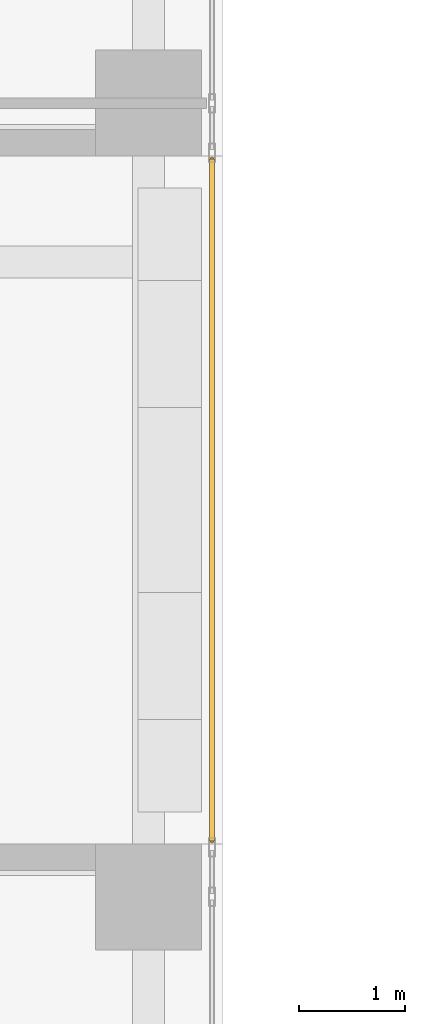
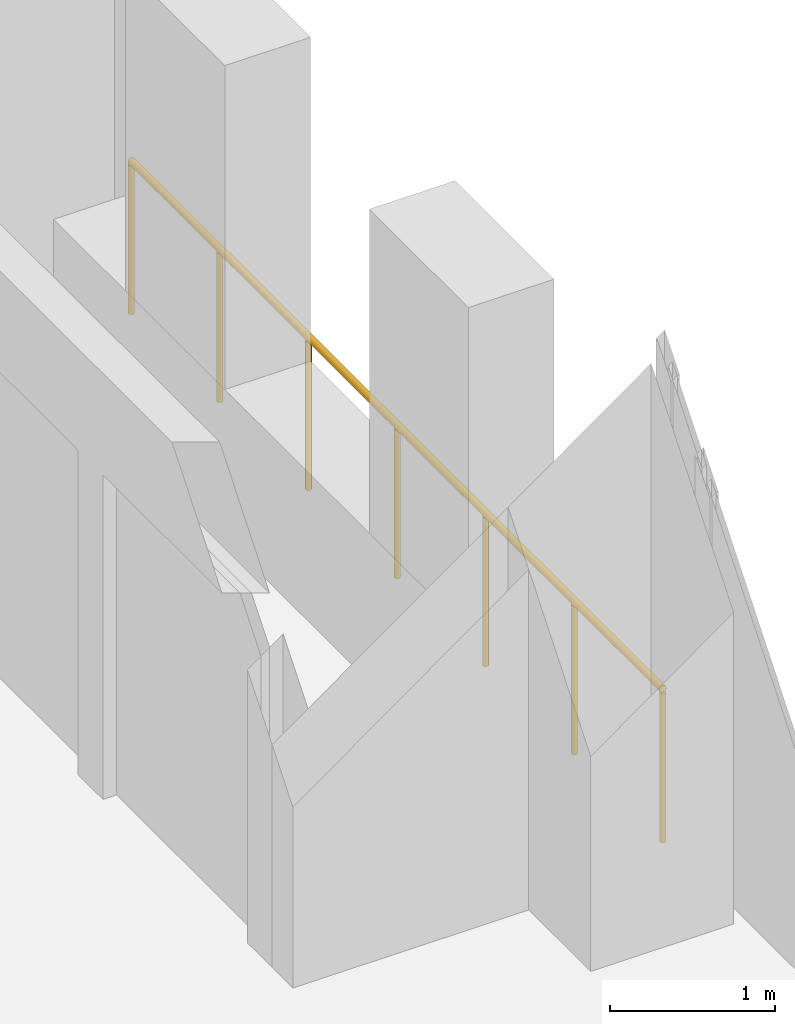
# One storey, part 39 of 40: 1 railing.
"""IFC4 building model written with IfcOpenShell, lengths in metres."""

from ifc_helpers import new_model, si_unit, direction, frame, origin, origin_2d, place, context, subcontext, project, spatial, circle, extrude, source, transform, mapped, material, type_object, element, save


model = new_model("IFC4")

# Units and contexts
model_context = context("Model", 3, precision=1e-05, world=origin(), true_north=direction((0.0, 1.0)))
body_context = subcontext(model_context, "Body", "Model", "MODEL_VIEW")
ifc_project = project(units=[si_unit("LENGTHUNIT", "METRE"), si_unit("AREAUNIT", "SQUARE_METRE"), si_unit("VOLUMEUNIT", "CUBIC_METRE"), si_unit("PLANEANGLEUNIT", "RADIAN"), si_unit("MASSUNIT", "GRAM", prefix="KILO")], contexts=[model_context])

# Site, building, storey
site_placement = place(None, origin())
site = spatial("IfcSite", under=ifc_project, at=site_placement, CompositionType="ELEMENT")
building_placement = place(site_placement, origin())
building = spatial("IfcBuilding", under=site, at=building_placement, Name="Khomas Fold Tower", CompositionType="ELEMENT")
storey_placement = place(building_placement, frame((0.0, 0.0, 192.699951171875)))
storey = spatial("IfcBuildingStorey", under=building, at=storey_placement, Name="L42", CompositionType="ELEMENT", Elevation=192.699951171875)

# Railing
ifc_material = material(Name="Powder-coated steel", Category="steel")
railing_type = type_object("IfcRailingType", Name="Balcony guard", PredefinedType="GUARDRAIL", material=ifc_material)
shared_shape = source(origin(), body_context, "Body", "SweptSolid", [
    extrude(circle(Radius=0.02490234375, at=origin_2d()), frame((0.0, 0.0, 1.125), z_axis=(0.0, 1.0, 0.0), x_axis=(-1.0, 0.0, 0.0)), (0.0, 0.0, 1.0), 6.43994140625),
    extrude(circle(Radius=0.02001953125, at=origin_2d()), origin(), (0.0, 0.0, 1.0), 1.099853515625),
    extrude(circle(Radius=0.02001953125, at=origin_2d()), frame((0.0, 1.0732421875, 0.0)), (0.0, 0.0, 1.0), 1.099853515625),
    extrude(circle(Radius=0.02001953125, at=origin_2d()), frame((0.0, 2.146728515625, 0.0)), (0.0, 0.0, 1.0), 1.099853515625),
    extrude(circle(Radius=0.02001953125, at=origin_2d()), frame((0.0, 3.219970703125, 0.0)), (0.0, 0.0, 1.0), 1.099853515625),
    extrude(circle(Radius=0.02001953125, at=origin_2d()), frame((0.0, 4.293212890625, 0.0)), (0.0, 0.0, 1.0), 1.099853515625),
    extrude(circle(Radius=0.02001953125, at=origin_2d()), frame((0.0, 5.36669921875, 0.0)), (0.0, 0.0, 1.0), 1.099853515625),
    extrude(circle(Radius=0.02001953125, at=origin_2d()), frame((0.0, 6.43994140625, 0.0)), (0.0, 0.0, 1.0), 1.099853515625),
])
railing_placement = place(storey_placement, frame((50.89990234375, 35.030029296875, -0.044921875)))
element("IfcRailing", 1, at=railing_placement, inside=storey, type_object=railing_type, Name="Balcony guard BAL-L42-E4", PredefinedType="GUARDRAIL", context=body_context, shape_type="MappedRepresentation", body=[
    mapped(shared_shape, transform((0.0, 0.0, 0.0))),
])

save(model, "model.ifc")
